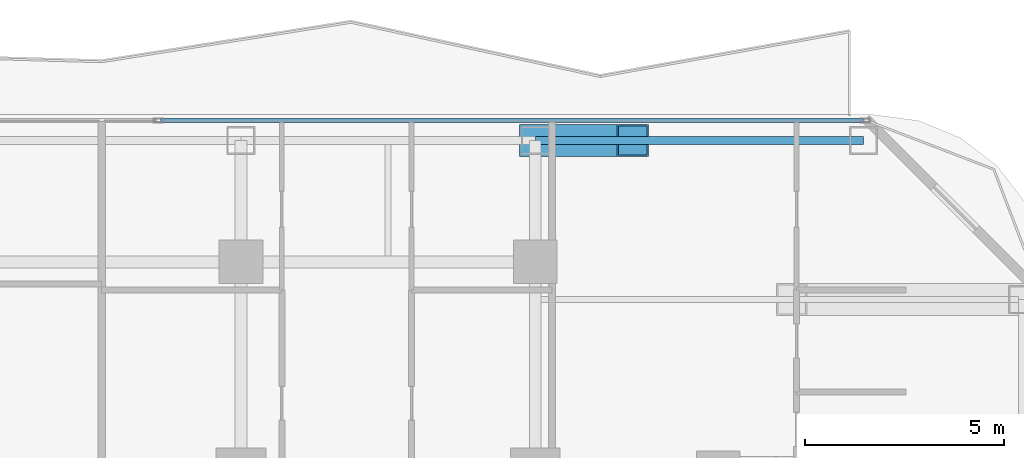
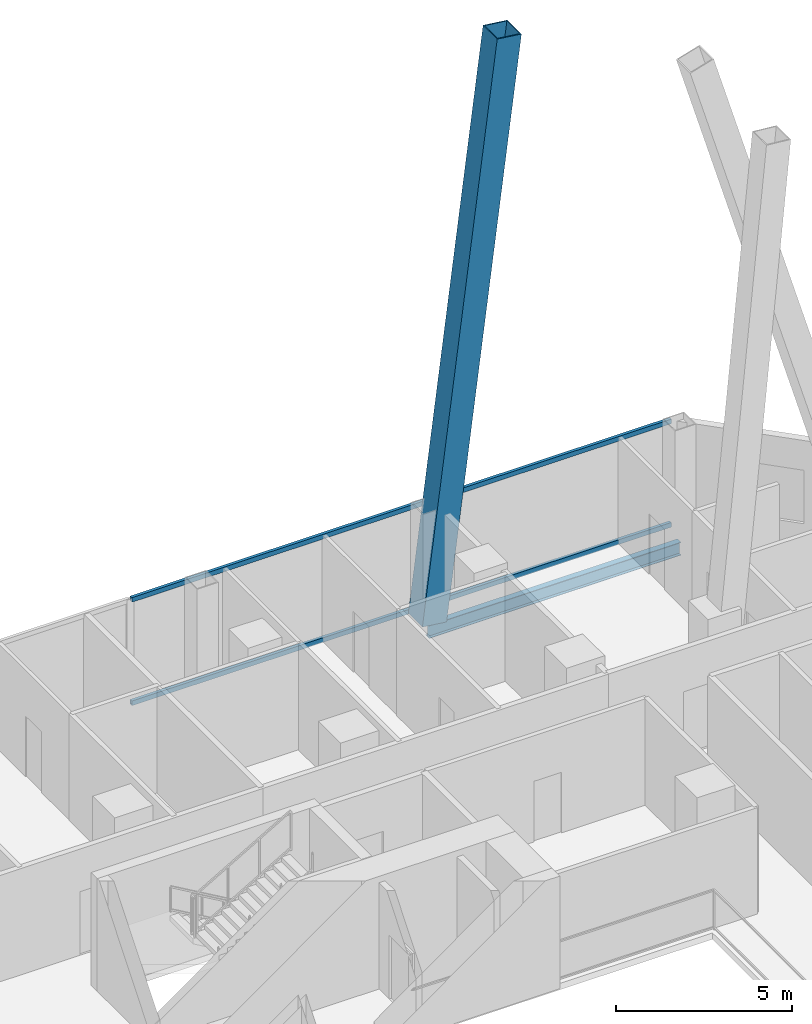
# One storey, part 21 of 32: 3 members, 1 beam, 1 element without a shape of its own.
"""IFC4 building model written with IfcOpenShell, lengths in metres."""

from ifc_helpers import new_model, si_unit, direction, frame, origin, origin_2d, place, context, subcontext, project, spatial, hollow_rectangle, i_section, extrude, material, layer, layer_set, material_profile, profile_set, type_object, element, aggregate, save


model = new_model("IFC4")

# Units and contexts
model_context = context("Model", 3, precision=1e-05, world=origin(), true_north=direction((0.0, 1.0)))
body_context = subcontext(model_context, "Body", "Model", "MODEL_VIEW")
ifc_project = project(units=[si_unit("LENGTHUNIT", "METRE"), si_unit("AREAUNIT", "SQUARE_METRE"), si_unit("VOLUMEUNIT", "CUBIC_METRE"), si_unit("PLANEANGLEUNIT", "RADIAN"), si_unit("MASSUNIT", "GRAM", prefix="KILO")], contexts=[model_context])

# Site, building, storey
site_placement = place(None, origin())
site = spatial("IfcSite", under=ifc_project, at=site_placement, CompositionType="ELEMENT")
building_placement = place(site_placement, origin())
building = spatial("IfcBuilding", under=site, at=building_placement, Name="Khorvyn Point Tower", CompositionType="ELEMENT")
storey_placement = place(building_placement, frame((0.0, 0.0, 148.5)))
storey = spatial("IfcBuildingStorey", under=building, at=storey_placement, Name="L37", CompositionType="ELEMENT", Elevation=148.5)

# Curtain wall, members
ifc_material_1 = material(Name="Anodised aluminium 6063-T6 and laminated Low-E glass", Category="aluminium")
ifc_layer = layer(ifc_material_1, 0.18994140625)
ifc_layer_set = layer_set([ifc_layer], Name="Stick-Built Acoustic Curtain Wall CW-SYS-03")
curtain_wall_type = type_object("IfcCurtainWallType", Name="Stick-Built Acoustic Curtain Wall CW-SYS-03", PredefinedType="NOTDEFINED", material=ifc_layer_set)
curtain_wall_placement = place(storey_placement, origin())
curtain_wall = element("IfcCurtainWall", 1, at=curtain_wall_placement, inside=storey, type_object=curtain_wall_type, Name="Curtain Wall", PredefinedType="NOTDEFINED")
ifc_material_2 = material(Name="Anodised aluminium 6063-T6", Category="aluminium")
ifc_material_profile_1 = material_profile(ifc_material_2, hollow_rectangle(XDim=0.10009765625, YDim=0.159912109375, WallThickness=0.00439453125, at=origin_2d()))
ifc_profile_set_1 = profile_set([ifc_material_profile_1], Name="Anodised aluminium 6063-T6 ALU-TRN-100x160")
member_type_1 = type_object("IfcMemberType", Name="Anodised Aluminium 6063-T6 Transom ALU-TRN-100x160", PredefinedType="USERDEFINED", material=ifc_profile_set_1)
member_1_placement = place(storey_placement, frame((5.380615234375, 23.64990234375, 0.050048828125), z_axis=(1.0, 0.0, 0.0), x_axis=(0.0, 1.0, 0.0)))
member_1 = element("IfcMember", 2, at=member_1_placement, type_object=member_type_1, Name="Transom", ObjectType="TRANSOM", PredefinedType="USERDEFINED", context=body_context, shape_type="SweptSolid", body=[
    extrude(hollow_rectangle(XDim=0.10009765625, YDim=0.159912109375, WallThickness=0.00439453125, at=origin_2d()), origin(), (0.0, 0.0, 1.0), 17.66943359375),
])
member_2_placement = place(storey_placement, frame((5.380615234375, 23.64990234375, 3.6298828125), z_axis=(1.0, 0.0, 0.0), x_axis=(0.0, 1.0, 0.0)))
member_2 = element("IfcMember", 3, at=member_2_placement, type_object=member_type_1, Name="Transom", ObjectType="TRANSOM", PredefinedType="USERDEFINED", context=body_context, shape_type="SweptSolid", body=[
    extrude(hollow_rectangle(XDim=0.10009765625, YDim=0.159912109375, WallThickness=0.00439453125, at=origin_2d()), origin(), (0.0, 0.0, 1.0), 17.66943359375),
])
aggregate(curtain_wall, [member_1, member_2])

# Beam
ifc_material_3 = material(Name="Steel S355", Category="steel")
ifc_material_profile_2 = material_profile(ifc_material_3, i_section(OverallWidth=0.199951171875, OverallDepth=0.449951171875, WebThickness=0.009033203125, FlangeThickness=0.013916015625, at=origin_2d()))
ifc_profile_set_2 = profile_set([ifc_material_profile_2], Name="Steel S355 H450x200x9x14")
beam_type = type_object("IfcBeamType", Name="Steel S355 Spandrel H450x200x9x14", PredefinedType="SPANDREL", material=ifc_profile_set_2)
beam_placement = place(storey_placement, frame((14.800048828125, 23.14990234375, -0.445068359375), z_axis=(1.0, 0.0, 0.0), x_axis=(0.0, 1.0, 0.0)))
element("IfcBeam", 4, at=beam_placement, inside=storey, type_object=beam_type, Name="Beam", PredefinedType="SPANDREL", context=body_context, shape_type="SweptSolid", body=[
    extrude(i_section(OverallWidth=0.199951171875, OverallDepth=0.449951171875, WebThickness=0.009033203125, FlangeThickness=0.013916015625, at=origin_2d()), origin(), (0.0, 0.0, 1.0), 8.25),
])

# Member
ifc_material_4 = material(Name="Steel S450", Category="steel")
ifc_material_profile_3 = material_profile(ifc_material_4, hollow_rectangle(XDim=0.800048828125, YDim=0.800048828125, WallThickness=0.035888671875, at=origin_2d()))
ifc_profile_set_3 = profile_set([ifc_material_profile_3], Name="Steel S450 BOX800x800x36")
member_type_2 = type_object("IfcMemberType", Name="Steel S450 Exoskeleton Structural Post BOX800x800x36", PredefinedType="POST", material=ifc_profile_set_3)
member_3_placement = place(storey_placement, frame((14.800048828125, 23.14990234375, 0.0), z_axis=(0.124658504274, 0.0, 0.992199706366), x_axis=(0.0, 1.0, 0.0)))
element("IfcMember", 5, at=member_3_placement, inside=storey, type_object=member_type_2, Name="L37 to L41 Exoskeleton Transfer Post 04", PredefinedType="POST", context=body_context, shape_type="SweptSolid", body=[
    extrude(hollow_rectangle(XDim=0.800048828125, YDim=0.800048828125, WallThickness=0.035888671875, at=origin_2d()), origin(), (0.0, 0.0, 1.0), 19.6533203125),
])

save(model, "model.ifc")
